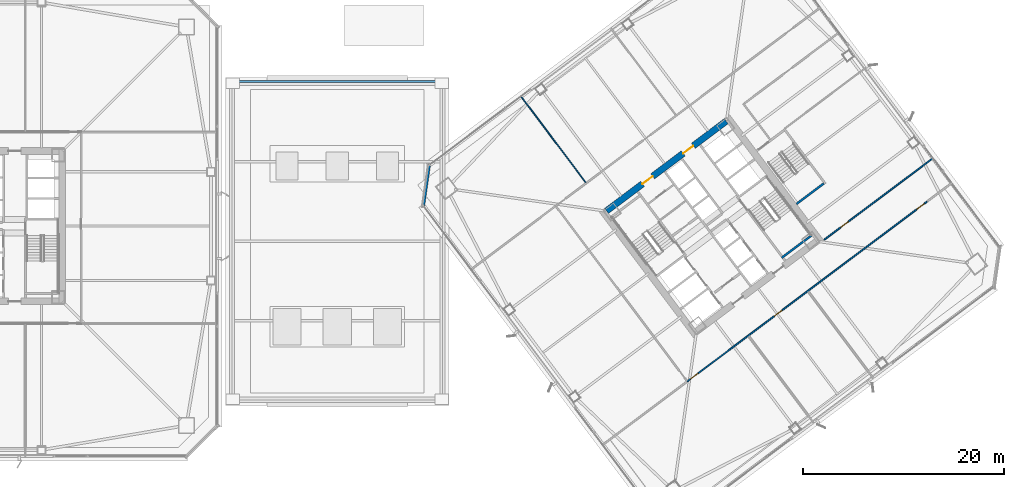
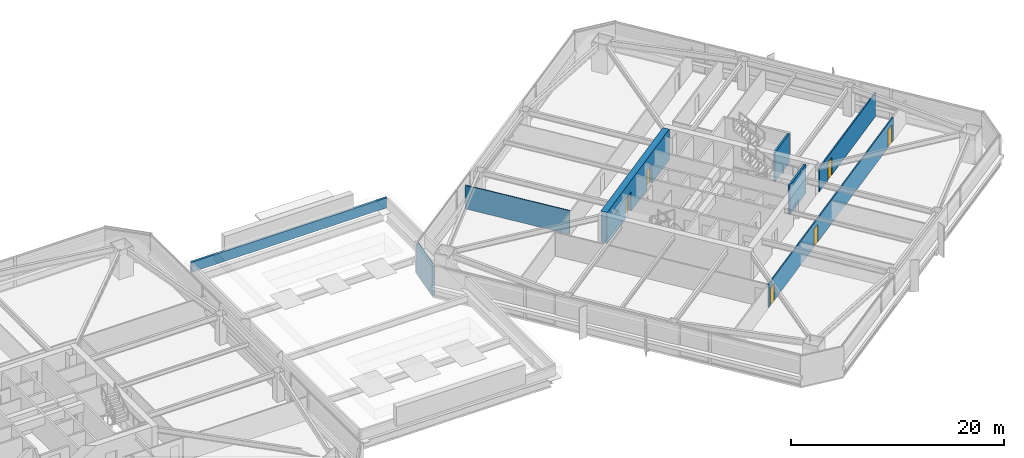
# One storey, part 46 of 62: 8 walls, 6 doors, 6 openings.
"""IFC4 building model written with IfcOpenShell, lengths in metres."""

from ifc_helpers import new_model, si_unit, direction, frame, frame_2d, origin, place, context, subcontext, project, spatial, rectangle, extrude, material, layer, layer_set, type_object, element, fill, save


model = new_model("IFC4")

# Units and contexts
model_context = context("Model", 3, precision=1e-05, world=origin(), true_north=direction((0.0, 1.0)))
body_context = subcontext(model_context, "Body", "Model", "MODEL_VIEW")
ifc_project = project(units=[si_unit("LENGTHUNIT", "METRE"), si_unit("AREAUNIT", "SQUARE_METRE"), si_unit("VOLUMEUNIT", "CUBIC_METRE"), si_unit("PLANEANGLEUNIT", "RADIAN"), si_unit("MASSUNIT", "GRAM", prefix="KILO")], contexts=[model_context])

# Site, building, storey
site_placement = place(None, origin())
site = spatial("IfcSite", under=ifc_project, at=site_placement, CompositionType="ELEMENT")
building_placement = place(site_placement, origin())
building = spatial("IfcBuilding", under=site, at=building_placement, Name="Tashvorn Skyway Center", CompositionType="ELEMENT")
storey_placement = place(building_placement, frame((0.0, 0.0, 28.14990234375)))
storey = spatial("IfcBuildingStorey", under=building, at=storey_placement, Name="L06", CompositionType="ELEMENT", Elevation=28.14990234375)

# Wall, openings, doors
ifc_material_1 = material(Name="Concrete C60/75", Category="concrete")
ifc_layer_1 = layer(ifc_material_1, 0.64990234375)
ifc_layer_set_1 = layer_set([ifc_layer_1], Name="Concrete C60/75")
wall_type_1 = type_object("IfcWallType", Name="WALL-CORE-650", PredefinedType="SHEAR", material=ifc_layer_set_1)
wall_1_placement = place(storey_placement, frame((103.571044921875, 33.52197265625, 0.0), z_axis=(0.0, 0.0, 1.0), x_axis=(0.799998028465, 0.600002628705, 0.0)))
wall_1 = element("IfcWall", 1, at=wall_1_placement, inside=storey, type_object=wall_type_1, Name="Tower 2 L06 North Core Shear Wall", PredefinedType="SHEAR", context=body_context, shape_type="SweptSolid", body=[
    extrude(rectangle(XDim=14.85986328125, YDim=0.64990234375, at=frame_2d((7.429931640625, 0.0))), origin(), (0.0, 0.0, 1.0), 3.550048828125),
])
opening_1_placement = place(wall_1_placement, frame((4.47998046875, 0.0, 0.0)))
opening_1 = element("IfcOpeningElement", 2, at=opening_1_placement, cuts=wall_1, Name="Opening D-FFL-1250", PredefinedType="OPENING", context=body_context, shape_type="SweptSolid", body=[
    extrude(rectangle(XDim=1.25, YDim=2.25, at=frame_2d((0.625, 1.125))), frame((0.0, 0.3349609375, 0.0), z_axis=(0.0, -1.0, 0.0), x_axis=(1.0, 0.0, 0.0)), (0.0, 0.0, 1.0), 0.669921875),
])
opening_2_placement = place(wall_1_placement, frame((9.530029296875, 0.0, 0.0)))
opening_2 = element("IfcOpeningElement", 3, at=opening_2_placement, cuts=wall_1, Name="Opening D-FFL-1250", PredefinedType="OPENING", context=body_context, shape_type="SweptSolid", body=[
    extrude(rectangle(XDim=1.25, YDim=2.25, at=frame_2d((0.625, 1.125))), frame((0.0, 0.3349609375, 0.0), z_axis=(0.0, -1.0, 0.0), x_axis=(1.0, 0.0, 0.0)), (0.0, 0.0, 1.0), 0.669921875),
])
ifc_material_2 = material(Name="Hollow galvanized steel fire door assembly", Category="steel")
door_type_1 = type_object("IfcDoorType", Name="DOOR-FFL-1250", OperationType="NOTDEFINED", PredefinedType="DOOR", material=ifc_material_2)
door_1_placement = place(opening_1_placement, origin())
door_1 = element("IfcDoor", 4, at=door_1_placement, inside=storey, type_object=door_type_1, Name="Tower 2 L06 Core North Service Lobby Door", OperationType="SINGLE_SWING_LEFT", OverallHeight=2.25, OverallWidth=1.25, PredefinedType="DOOR", context=body_context, shape_type="SweptSolid", body=[
    extrude(rectangle(XDim=1.25, YDim=2.25, at=frame_2d((0.625, 1.125))), frame((0.0, 0.02490234375, 0.0), z_axis=(0.0, -1.0, 0.0), x_axis=(1.0, 0.0, 0.0)), (0.0, 0.0, 1.0), 0.050048828125),
])
fill(opening_1, door_1)
door_2_placement = place(opening_2_placement, origin())
door_2 = element("IfcDoor", 5, at=door_2_placement, inside=storey, type_object=door_type_1, Name="Tower 2 L06 Core North Lift Lobby Door", OperationType="SINGLE_SWING_RIGHT", OverallHeight=2.25, OverallWidth=1.25, PredefinedType="DOOR", context=body_context, shape_type="SweptSolid", body=[
    extrude(rectangle(XDim=1.25, YDim=2.25, at=frame_2d((0.625, 1.125))), frame((0.0, 0.02490234375, 0.0), z_axis=(0.0, -1.0, 0.0), x_axis=(1.0, 0.0, 0.0)), (0.0, 0.0, 1.0), 0.050048828125),
])
fill(opening_2, door_2)

# Walls
ifc_material_3 = material(Name="Precast concrete C40/50", Category="concrete")
ifc_layer_2 = layer(ifc_material_3, 0.280029296875)
ifc_layer_set_2 = layer_set([ifc_layer_2], Name="Precast concrete C40/50")
wall_type_2 = type_object("IfcWallType", Name="WALL-EXT-280", PredefinedType="SOLIDWALL", material=ifc_layer_set_2)
wall_2_placement = place(storey_placement, frame((85.360107421875, 34.02001953125, 0.0), z_axis=(0.0, 0.0, 1.0), x_axis=(0.14137968631, 0.989955445613, 0.0)))
element("IfcWall", 6, at=wall_2_placement, inside=storey, type_object=wall_type_2, Name="Tower 2 L06 NW Precast Chamfer Wall", PredefinedType="SOLIDWALL", context=body_context, shape_type="SweptSolid", body=[
    extrude(rectangle(XDim=4.101318359375, YDim=0.280029296875, at=frame_2d((2.05078125, 0.0))), origin(), (0.0, 0.0, 1.0), 3.35009765625),
])
ifc_layer_3 = layer(ifc_material_3, 0.239990234375)
ifc_layer_set_3 = layer_set([ifc_layer_3], Name="Precast concrete C40/50")
wall_type_3 = type_object("IfcWallType", Name="WALL-PARA-240", PredefinedType="PARAPET", material=ifc_layer_set_3)
wall_3_placement = place(storey_placement, frame((66.199951171875, 46.3798828125, 1.9501953125), z_axis=(0.0, 0.0, 1.0), x_axis=(1.0, 0.0, 0.0)))
element("IfcWall", 7, at=wall_3_placement, inside=storey, type_object=wall_type_3, Name="Station Concourse Monitor Roof Parapet N", PredefinedType="PARAPET", context=body_context, shape_type="SweptSolid", body=[
    extrude(rectangle(XDim=21.199951171875, YDim=0.239990234375, at=frame_2d((10.60009765625, 0.0))), origin(), (0.0, 0.0, 1.0), 1.14990234375),
])
ifc_material_4 = material(Name="Gypsum board on cold-formed steel stud framing", Category="steel")
ifc_layer_4 = layer(ifc_material_4, 0.110107421875)
ifc_layer_set_4 = layer_set([ifc_layer_4], Name="Gypsum board on cold-formed steel stud framing")
wall_type_4 = type_object("IfcWallType", Name="WALL-PART-110", PredefinedType="PARTITIONING", material=ifc_layer_set_4)
wall_4_placement = place(storey_placement, frame((101.491943359375, 36.343994140625, 0.0), z_axis=(0.0, 0.0, 1.0), x_axis=(-0.599992698573, 0.800005476018, 0.0)))
element("IfcWall", 8, at=wall_4_placement, inside=storey, type_object=wall_type_4, Name="Tower 2 L06 North Suite Partition 1", PredefinedType="PARTITIONING", context=body_context, shape_type="SweptSolid", body=[
    extrude(rectangle(XDim=10.699951171875, YDim=0.110107421875, at=frame_2d((5.35009765625, 0.0))), origin(), (0.0, 0.0, 1.0), 2.703125),
])

# Wall, openings, doors
ifc_layer_5 = layer(ifc_material_4, 0.135009765625)
ifc_layer_set_5 = layer_set([ifc_layer_5], Name="Gypsum board on cold-formed steel stud framing")
wall_type_5 = type_object("IfcWallType", Name="WALL-PART-135", PredefinedType="PARTITIONING", material=ifc_layer_set_5)
wall_5_placement = place(storey_placement, frame((135.4599609375, 34.469970703125, 0.0), z_axis=(0.0, 0.0, 1.0), x_axis=(-0.800000982127, -0.599998690494, 0.0)))
wall_5 = element("IfcWall", 9, at=wall_5_placement, inside=storey, type_object=wall_type_5, Name="Tower 2 L06 South Suite Wall", PredefinedType="PARTITIONING", context=body_context, shape_type="SweptSolid", body=[
    extrude(rectangle(XDim=29.830078125, YDim=0.135009765625, at=frame_2d((14.9150390625, 0.0))), origin(), (0.0, 0.0, 1.0), 2.703125),
])
opening_3_placement = place(wall_5_placement, frame((28.5, 0.0, 0.0)))
opening_3 = element("IfcOpeningElement", 10, at=opening_3_placement, cuts=wall_5, Name="Opening D-INT-950", PredefinedType="OPENING", context=body_context, shape_type="SweptSolid", body=[
    extrude(rectangle(XDim=0.949951171875, YDim=2.050048828125, at=frame_2d((0.47509765625, 1.02490234375))), frame((0.0, 0.077392578125, 0.0), z_axis=(0.0, -1.0, 0.0), x_axis=(1.0, 0.0, 0.0)), (0.0, 0.0, 1.0), 0.155029296875),
])
opening_4_placement = place(wall_5_placement, frame((18.074951171875, 0.0, 0.0)))
opening_4 = element("IfcOpeningElement", 11, at=opening_4_placement, cuts=wall_5, Name="Opening D-INT-950", PredefinedType="OPENING", context=body_context, shape_type="SweptSolid", body=[
    extrude(rectangle(XDim=0.949951171875, YDim=2.050048828125, at=frame_2d((0.47509765625, 1.02490234375))), frame((0.0, 0.077392578125, 0.0), z_axis=(0.0, -1.0, 0.0), x_axis=(1.0, 0.0, 0.0)), (0.0, 0.0, 1.0), 0.155029296875),
])
opening_5_placement = place(wall_5_placement, frame((0.3798828125, 0.0, 0.0)))
opening_5 = element("IfcOpeningElement", 12, at=opening_5_placement, cuts=wall_5, Name="Opening D-INT-950", PredefinedType="OPENING", context=body_context, shape_type="SweptSolid", body=[
    extrude(rectangle(XDim=0.949951171875, YDim=2.050048828125, at=frame_2d((0.47509765625, 1.02490234375))), frame((0.0, 0.077392578125, 0.0), z_axis=(0.0, -1.0, 0.0), x_axis=(1.0, 0.0, 0.0)), (0.0, 0.0, 1.0), 0.155029296875),
])
ifc_material_5 = material(Name="Solid-core architectural oak veneer door")
door_type_2 = type_object("IfcDoorType", Name="DOOR-INT-950", OperationType="NOTDEFINED", PredefinedType="DOOR", material=ifc_material_5)
door_3_placement = place(opening_3_placement, origin())
door_3 = element("IfcDoor", 13, at=door_3_placement, inside=storey, type_object=door_type_2, Name="Tower 2 L06 Open Plan Office Door", OperationType="SINGLE_SWING_LEFT", OverallHeight=2.050048828125, OverallWidth=0.949951171875, PredefinedType="DOOR", context=body_context, shape_type="SweptSolid", body=[
    extrude(rectangle(XDim=0.949951171875, YDim=2.050048828125, at=frame_2d((0.47509765625, 1.02490234375))), frame((0.0, 0.02490234375, 0.0), z_axis=(0.0, -1.0, 0.0), x_axis=(1.0, 0.0, 0.0)), (0.0, 0.0, 1.0), 0.050048828125),
])
fill(opening_3, door_3)
door_4_placement = place(opening_4_placement, origin())
door_4 = element("IfcDoor", 14, at=door_4_placement, inside=storey, type_object=door_type_2, Name="Tower 2 L06 Catering Pantry Door", OperationType="SINGLE_SWING_RIGHT", OverallHeight=2.050048828125, OverallWidth=0.949951171875, PredefinedType="DOOR", context=body_context, shape_type="SweptSolid", body=[
    extrude(rectangle(XDim=0.949951171875, YDim=2.050048828125, at=frame_2d((0.47509765625, 1.02490234375))), frame((0.0, 0.02490234375, 0.0), z_axis=(0.0, -1.0, 0.0), x_axis=(1.0, 0.0, 0.0)), (0.0, 0.0, 1.0), 0.050048828125),
])
fill(opening_4, door_4)
door_5_placement = place(opening_5_placement, origin())
door_5 = element("IfcDoor", 15, at=door_5_placement, inside=storey, type_object=door_type_2, Name="Tower 2 L06 Catering Pantry Door", OperationType="SINGLE_SWING_LEFT", OverallHeight=2.050048828125, OverallWidth=0.949951171875, PredefinedType="DOOR", context=body_context, shape_type="SweptSolid", body=[
    extrude(rectangle(XDim=0.949951171875, YDim=2.050048828125, at=frame_2d((0.47509765625, 1.02490234375))), frame((0.0, 0.02490234375, 0.0), z_axis=(0.0, -1.0, 0.0), x_axis=(1.0, 0.0, 0.0)), (0.0, 0.0, 1.0), 0.050048828125),
])
fill(opening_5, door_5)

# Wall, opening, door
wall_6_placement = place(storey_placement, frame((125.2080078125, 30.656005859375, 0.0), z_axis=(0.0, 0.0, 1.0), x_axis=(0.799995666112, 0.600005778473, 0.0)))
wall_6 = element("IfcWall", 16, at=wall_6_placement, inside=storey, type_object=wall_type_5, Name="Tower 2 L06 East Suite South Wall", PredefinedType="PARTITIONING", context=body_context, shape_type="SweptSolid", body=[
    extrude(rectangle(XDim=13.52001953125, YDim=0.135009765625, at=frame_2d((6.760009765625, 0.0))), origin(), (0.0, 0.0, 1.0), 2.703125),
])
opening_6_placement = place(wall_6_placement, frame((2.044921875, 0.0, 0.0)))
opening_6 = element("IfcOpeningElement", 17, at=opening_6_placement, cuts=wall_6, Name="Opening D-INT-950", PredefinedType="OPENING", context=body_context, shape_type="SweptSolid", body=[
    extrude(rectangle(XDim=0.949951171875, YDim=2.050048828125, at=frame_2d((0.47509765625, 1.02490234375))), frame((0.0, 0.077392578125, 0.0), z_axis=(0.0, -1.0, 0.0), x_axis=(1.0, 0.0, 0.0)), (0.0, 0.0, 1.0), 0.155029296875),
])
door_6_placement = place(opening_6_placement, origin())
door_6 = element("IfcDoor", 18, at=door_6_placement, inside=storey, type_object=door_type_2, Name="Tower 2 L06 Public Restroom Door", OperationType="SINGLE_SWING_LEFT", OverallHeight=2.050048828125, OverallWidth=0.949951171875, PredefinedType="DOOR", context=body_context, shape_type="SweptSolid", body=[
    extrude(rectangle(XDim=0.949951171875, YDim=2.050048828125, at=frame_2d((0.47509765625, 1.02490234375))), frame((0.0, 0.02490234375, 0.0), z_axis=(0.0, -1.0, 0.0), x_axis=(1.0, 0.0, 0.0)), (0.0, 0.0, 1.0), 0.050048828125),
])
fill(opening_6, door_6)

# Walls
ifc_material_6 = material(Name="Concrete C40/50", Category="concrete")
ifc_layer_6 = layer(ifc_material_6, 0.199951171875)
ifc_layer_set_6 = layer_set([ifc_layer_6], Name="Concrete C40/50")
wall_type_6 = type_object("IfcWallType", Name="WALL-STSHF-200", PredefinedType="SHEAR", material=ifc_layer_set_6)
wall_7_placement = place(storey_placement, frame((120.97998046875, 28.860107421875, 0.0), z_axis=(0.0, 0.0, 1.0), x_axis=(0.800039270442, 0.59994763584, 0.0)))
element("IfcWall", 19, at=wall_7_placement, inside=storey, type_object=wall_type_6, Name="Tower 2 L06 Stair 2 South Wall", PredefinedType="SHEAR", context=body_context, shape_type="SweptSolid", body=[
    extrude(rectangle(XDim=3.72998046875, YDim=0.199951171875, at=frame_2d((1.864990234375, 0.0))), origin(), (0.0, 0.0, 1.0), 3.35009765625),
])
wall_8_placement = place(storey_placement, frame((122.444091796875, 34.2080078125, 0.0), z_axis=(0.0, 0.0, 1.0), x_axis=(0.79999138319, 0.600011488909, 0.0)))
element("IfcWall", 20, at=wall_8_placement, inside=storey, type_object=wall_type_6, Name="Tower 2 L06 Stair 3 South Wall", PredefinedType="SHEAR", context=body_context, shape_type="SweptSolid", body=[
    extrude(rectangle(XDim=3.39990234375, YDim=0.199951171875, at=frame_2d((1.699951171875, 0.0))), origin(), (0.0, 0.0, 1.0), 3.35009765625),
])

save(model, "model.ifc")
